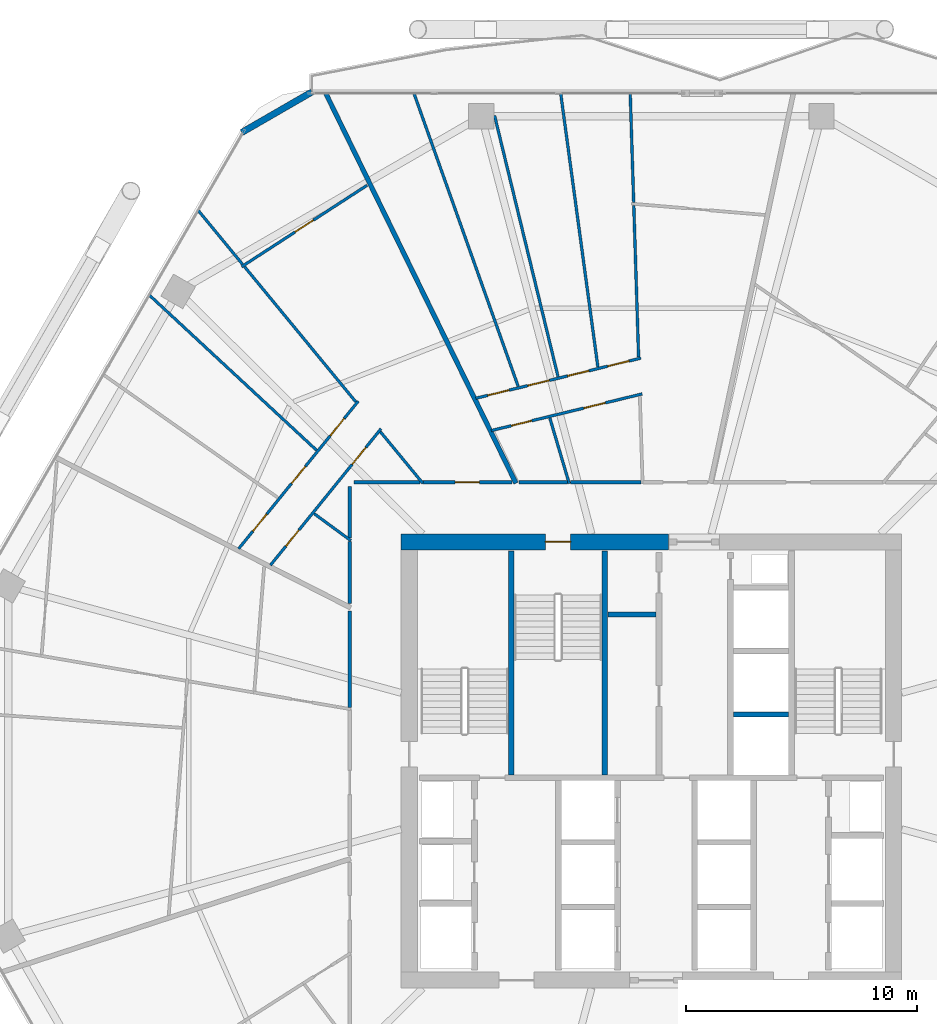
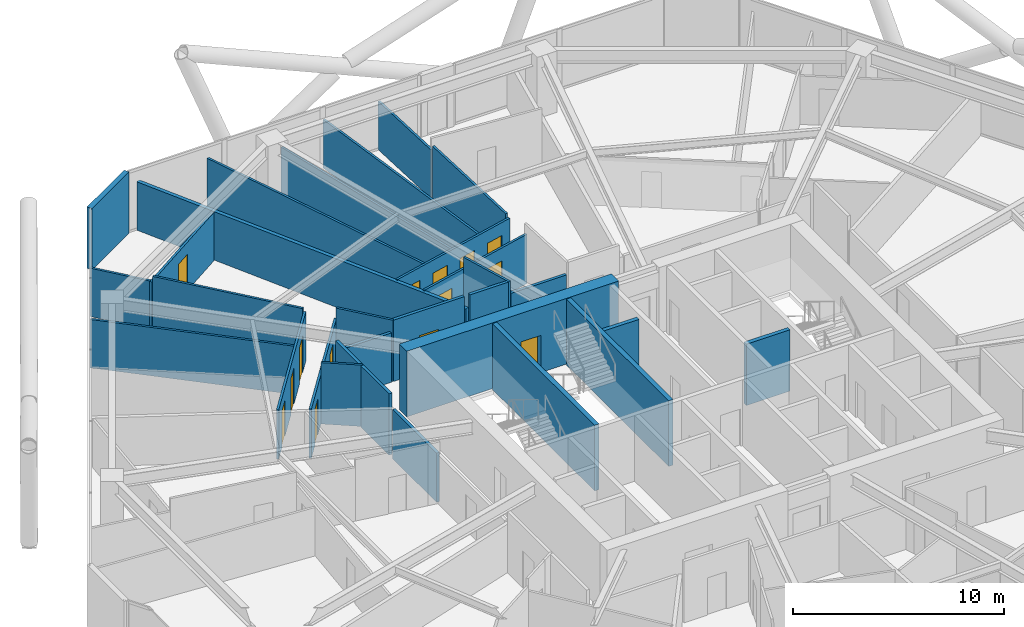
# One storey, part 30 of 35: 30 walls, 14 doors, 14 openings.
"""IFC4 building model written with IfcOpenShell, lengths in metres."""

from ifc_helpers import new_model, si_unit, direction, frame, frame_2d, origin, place, context, subcontext, project, spatial, rectangle, extrude, material, layer, layer_set, type_object, element, fill, save


model = new_model("IFC4")

# Units and contexts
model_context = context("Model", 3, precision=1e-05, world=origin(), true_north=direction((0.0, 1.0)))
body_context = subcontext(model_context, "Body", "Model", "MODEL_VIEW")
ifc_project = project(units=[si_unit("LENGTHUNIT", "METRE"), si_unit("AREAUNIT", "SQUARE_METRE"), si_unit("VOLUMEUNIT", "CUBIC_METRE"), si_unit("PLANEANGLEUNIT", "RADIAN"), si_unit("MASSUNIT", "GRAM", prefix="KILO")], contexts=[model_context])

# Site, building, storey
site_placement = place(None, origin())
site = spatial("IfcSite", under=ifc_project, at=site_placement, CompositionType="ELEMENT")
building_placement = place(site_placement, origin())
building = spatial("IfcBuilding", under=site, at=building_placement, Name="Zuhravey Tower", CompositionType="ELEMENT")
storey_placement = place(building_placement, frame((0.0, 0.0, 115.199951171875)))
storey = spatial("IfcBuildingStorey", under=building, at=storey_placement, Name="L28", CompositionType="ELEMENT", Elevation=115.199951171875)

# Wall, opening, door
ifc_material_1 = material(Name="Concrete C60/75", Category="concrete")
ifc_layer_1 = layer(ifc_material_1, 0.699951171875)
ifc_layer_set_1 = layer_set([ifc_layer_1], Name="Concrete C60/75")
wall_type_1 = type_object("IfcWallType", Name="Core Shear Wall 700", PredefinedType="SHEAR", material=ifc_layer_set_1)
wall_1_placement = place(storey_placement, frame((36.75, 41.5, 0.0), z_axis=(0.0, 0.0, 1.0), x_axis=(-1.0, 0.0, 0.0)))
wall_1 = element("IfcWall", 1, at=wall_1_placement, inside=storey, type_object=wall_type_1, Name="L28 North-West Core Shear Wall CW70", PredefinedType="SHEAR", context=body_context, shape_type="SweptSolid", body=[
    extrude(rectangle(XDim=11.60009765625, YDim=0.699951171875, at=frame_2d((5.800048828125, 0.0))), origin(), (0.0, 0.0, 1.0), 3.800048828125),
])
opening_1_placement = place(wall_1_placement, frame((4.25, 0.0, 0.0)))
opening_1 = element("IfcOpeningElement", 2, at=opening_1_placement, cuts=wall_1, Name="Opening STD1", PredefinedType="OPENING", context=body_context, shape_type="SweptSolid", body=[
    extrude(rectangle(XDim=1.10009765625, YDim=2.14990234375, at=frame_2d((0.550048828125, 1.074951171875))), frame((0.0, 0.362060546875, 0.0), z_axis=(0.0, -1.0, 0.0), x_axis=(1.0, 0.0, 0.0)), (0.0, 0.0, 1.0), 0.723876953125),
])
ifc_material_2 = material(Name="Galvanised fire-rated steel leaf", Category="steel")
door_type_1 = type_object("IfcDoorType", Name="Protected Stair Fire Door 1100x2150", OperationType="NOTDEFINED", PredefinedType="USERDEFINED", material=ifc_material_2)
door_1_placement = place(opening_1_placement, origin())
door_1 = element("IfcDoor", 3, at=door_1_placement, inside=storey, type_object=door_type_1, Name="L28 Stair ST3 Door", ObjectType="EXITDOOR", OperationType="SINGLE_SWING_RIGHT", OverallHeight=2.14990234375, OverallWidth=1.10009765625, PredefinedType="USERDEFINED", context=body_context, shape_type="SweptSolid", body=[
    extrude(rectangle(XDim=1.10009765625, YDim=2.14990234375, at=frame_2d((0.550048828125, 1.074951171875))), frame((0.0, 0.02490234375, 0.0), z_axis=(0.0, -1.0, 0.0), x_axis=(1.0, 0.0, 0.0)), (0.0, 0.0, 1.0), 0.050048828125),
])
fill(opening_1, door_1)

ifc_material_3 = material(Name="Gypsum fire-rated stud partition")
ifc_layer_2 = layer(ifc_material_3, 0.159912109375)
ifc_layer_set_2 = layer_set([ifc_layer_2], Name="Gypsum fire-rated stud partition")
wall_type_2 = type_object("IfcWallType", Name="Corridor Fire Partition 160", PredefinedType="PARTITIONING", material=ifc_layer_set_2)
wall_2_placement = place(storey_placement, frame((29.954833984375, 44.080078125, 0.0), z_axis=(0.0, 0.0, 1.0), x_axis=(-1.0, 0.0, 0.0)))
wall_2 = element("IfcWall", 4, at=wall_2_placement, inside=storey, type_object=wall_type_2, Name="L28 IW16 Partition 032", PredefinedType="PARTITIONING", context=body_context, shape_type="SweptSolid", body=[
    extrude(rectangle(XDim=3.872802734375, YDim=0.159912109375, at=frame_2d((1.9365234375, 0.0))), origin(), (0.0, 0.0, 1.0), 3.550048828125),
])
opening_2_placement = place(wall_2_placement, frame((1.411376953125, 0.0, 0.0)))
opening_2 = element("IfcOpeningElement", 5, at=opening_2_placement, cuts=wall_2, Name="Opening APD1", PredefinedType="OPENING", context=body_context, shape_type="SweptSolid", body=[
    extrude(rectangle(XDim=1.050048828125, YDim=2.14990234375, at=frame_2d((0.52490234375, 1.074951171875))), frame((0.0, 0.092041015625, 0.0), z_axis=(0.0, -1.0, 0.0), x_axis=(1.0, 0.0, 0.0)), (0.0, 0.0, 1.0), 0.183837890625),
])
ifc_material_4 = material(Name="Solid-core oak fire-rated leaf")
door_type_2 = type_object("IfcDoorType", Name="Apartment Entrance Fire Door 1050x2150", OperationType="NOTDEFINED", PredefinedType="DOOR", material=ifc_material_4)
door_2_placement = place(opening_2_placement, frame((1.050048828125, 0.0, 0.0), z_axis=(0.0, 0.0, 1.0), x_axis=(-1.0, 0.0, 0.0)))
door_2 = element("IfcDoor", 6, at=door_2_placement, inside=storey, type_object=door_type_2, Name="L28 Door 032.1", OperationType="SINGLE_SWING_RIGHT", OverallHeight=2.14990234375, OverallWidth=1.050048828125, PredefinedType="DOOR", context=body_context, shape_type="SweptSolid", body=[
    extrude(rectangle(XDim=1.050048828125, YDim=2.14990234375, at=frame_2d((0.52490234375, 1.074951171875))), frame((0.0, 0.02490234375, 0.0), z_axis=(0.0, -1.0, 0.0), x_axis=(1.0, 0.0, 0.0)), (0.0, 0.0, 1.0), 0.050048828125),
])
fill(opening_2, door_2)

# Walls
wall_3_placement = place(storey_placement, frame((35.548095703125, 44.080078125, 0.0), z_axis=(0.0, 0.0, 1.0), x_axis=(-1.0, 0.0, 0.0)))
element("IfcWall", 7, at=wall_3_placement, inside=storey, type_object=wall_type_2, Name="L28 IW16 Partition 116", PredefinedType="PARTITIONING", context=body_context, shape_type="SweptSolid", body=[
    extrude(rectangle(XDim=3.055908203125, YDim=0.159912109375, at=frame_2d((1.52783203125, 0.0))), origin(), (0.0, 0.0, 1.0), 2.85009765625),
])
wall_4_placement = place(storey_placement, frame((32.3505859375, 44.080078125, 0.0), z_axis=(0.0, 0.0, 1.0), x_axis=(-1.0, 0.0, 0.0)))
element("IfcWall", 8, at=wall_4_placement, inside=storey, type_object=wall_type_2, Name="L28 IW16 Partition 117", PredefinedType="PARTITIONING", context=body_context, shape_type="SweptSolid", body=[
    extrude(rectangle(XDim=2.09033203125, YDim=0.159912109375, at=frame_2d((1.045166015625, 0.0))), origin(), (0.0, 0.0, 1.0), 3.550048828125),
])
wall_5_placement = place(storey_placement, frame((25.968017578125, 44.080078125, 0.0), z_axis=(0.0, 0.0, 1.0), x_axis=(-1.0, 0.0, 0.0)))
element("IfcWall", 9, at=wall_5_placement, inside=storey, type_object=wall_type_2, Name="L28 IW16 Partition 118", PredefinedType="PARTITIONING", context=body_context, shape_type="SweptSolid", body=[
    extrude(rectangle(XDim=2.867919921875, YDim=0.159912109375, at=frame_2d((1.43408203125, 0.0))), origin(), (0.0, 0.0, 1.0), 2.85009765625),
])
wall_6_placement = place(storey_placement, frame((22.919921875, 43.89990234375, 0.0), z_axis=(0.0, 0.0, 1.0), x_axis=(0.0, -1.0, 0.0)))
element("IfcWall", 10, at=wall_6_placement, inside=storey, type_object=wall_type_2, Name="L28 IW16 Partition 119", PredefinedType="PARTITIONING", context=body_context, shape_type="SweptSolid", body=[
    extrude(rectangle(XDim=2.22314453125, YDim=0.159912109375, at=frame_2d((1.111572265625, 0.0))), origin(), (0.0, 0.0, 1.0), 3.550048828125),
])
wall_7_placement = place(storey_placement, frame((22.919921875, 41.508056640625, 0.0), z_axis=(0.0, 0.0, 1.0), x_axis=(0.0, -1.0, 0.0)))
element("IfcWall", 11, at=wall_7_placement, inside=storey, type_object=wall_type_2, Name="L28 IW16 Partition 120", PredefinedType="PARTITIONING", context=body_context, shape_type="SweptSolid", body=[
    extrude(rectangle(XDim=2.676513671875, YDim=0.159912109375, at=frame_2d((1.33837890625, 0.0))), origin(), (0.0, 0.0, 1.0), 3.550048828125),
])
wall_8_placement = place(storey_placement, frame((22.919921875, 38.4990234375, 0.0), z_axis=(0.0, 0.0, 1.0), x_axis=(0.0, -1.0, 0.0)))
element("IfcWall", 12, at=wall_8_placement, inside=storey, type_object=wall_type_2, Name="L28 IW16 Partition 121", PredefinedType="PARTITIONING", context=body_context, shape_type="SweptSolid", body=[
    extrude(rectangle(XDim=4.175537109375, YDim=0.159912109375, at=frame_2d((2.087890625, 0.0))), origin(), (0.0, 0.0, 1.0), 2.85009765625),
])
ifc_material_5 = material(Name="Precast concrete C40/50", Category="concrete")
ifc_layer_3 = layer(ifc_material_5, 0.280029296875)
ifc_layer_set_3 = layer_set([ifc_layer_3], Name="Precast concrete C40/50")
wall_type_3 = type_object("IfcWallType", Name="Crown Architectural Wall 280", PredefinedType="SOLIDWALL", material=ifc_layer_set_3)
wall_9_placement = place(storey_placement, frame((18.23876953125, 59.24853515625, 0.0), z_axis=(0.0, 0.0, 1.0), x_axis=(0.866007452331, 0.500031091541, 0.0)))
element("IfcWall", 13, at=wall_9_placement, inside=storey, type_object=wall_type_3, Name="L28 Rounded Corner Closure Wall EW28-08", PredefinedType="SOLIDWALL", context=body_context, shape_type="SweptSolid", body=[
    extrude(rectangle(XDim=3.514892578125, YDim=0.280029296875, at=frame_2d((1.75732421875, 0.0))), origin(), (0.0, 0.0, 1.0), 3.550048828125),
])
ifc_material_6 = material(Name="Concrete C50/60", Category="concrete")
ifc_layer_4 = layer(ifc_material_6, 0.25)
ifc_layer_set_4 = layer_set([ifc_layer_4], Name="Concrete C50/60")
wall_type_4 = type_object("IfcWallType", Name="Firefighting Shaft & Stair Wall 250", PredefinedType="SOLIDWALL", material=ifc_layer_set_4)
for number, where, z_axis, x_axis, name in (
    (14, (29.925048828125, 31.39990234375, 0.0), (0.0, 0.0, 1.0), (0.0, 1.0, 0.0), "L28 FW25 Shaft Wall 004"),
    (15, (33.97509765625, 31.39990234375, 0.0), (0.0, 0.0, 1.0), (0.0, 1.0, 0.0), "L28 FW25 Shaft Wall 005"),
):
    element("IfcWall", number, at=place(storey_placement, frame(where, z_axis=z_axis, x_axis=x_axis)), inside=storey, type_object=wall_type_4, Name=name, PredefinedType="SOLIDWALL", context=body_context, shape_type="SweptSolid", body=[
        extrude(rectangle(XDim=9.7001953125, YDim=0.25, at=frame_2d((4.85009765625, 0.0))), origin(), (0.0, 0.0, 1.0), 3.800048828125),
    ])
ifc_material_7 = material(Name="Gypsum double-stud party assembly")
ifc_layer_5 = layer(ifc_material_7, 0.199951171875)
ifc_layer_set_5 = layer_set([ifc_layer_5], Name="Gypsum double-stud party assembly")
wall_type_5 = type_object("IfcWallType", Name="Inter-Tenancy Party Wall 200", PredefinedType="PARTITIONING", material=ifc_layer_set_5)
wall_10_placement = place(storey_placement, frame((30.127685546875, 44.0400390625, 0.0), z_axis=(0.0, 0.0, 1.0), x_axis=(-0.438372268699, 0.898793499106, 0.0)))
element("IfcWall", 16, at=wall_10_placement, inside=storey, type_object=wall_type_5, Name="L28 IW20 Partition 080", PredefinedType="PARTITIONING", context=body_context, shape_type="SweptSolid", body=[
    extrude(rectangle(XDim=18.823486328125, YDim=0.199951171875, at=frame_2d((9.41162109375, 0.0))), origin(), (0.0, 0.0, 1.0), 2.800048828125),
])
ifc_material_8 = material(Name="Gypsum acoustic stud assembly")
ifc_layer_6 = layer(ifc_material_8, 0.219970703125)
ifc_layer_set_6 = layer_set([ifc_layer_6], Name="Gypsum acoustic stud assembly")
wall_type_6 = type_object("IfcWallType", Name="School Acoustic Compartment Wall 220", PredefinedType="PARTITIONING", material=ifc_layer_set_6)
wall_11_placement = place(storey_placement, frame((34.10791015625, 38.35009765625, 0.0), z_axis=(0.0, 0.0, 1.0), x_axis=(1.0, 0.0, 0.0)))
element("IfcWall", 17, at=wall_11_placement, inside=storey, type_object=wall_type_6, Name="L28 IW22 Partition 059", PredefinedType="PARTITIONING", context=body_context, shape_type="SweptSolid", body=[
    extrude(rectangle(XDim=2.083984375, YDim=0.219970703125, at=frame_2d((1.0419921875, 0.0))), origin(), (0.0, 0.0, 1.0), 3.550048828125),
])
wall_12_placement = place(storey_placement, frame((39.55810546875, 34.02490234375, 0.0), z_axis=(0.0, 0.0, 1.0), x_axis=(1.0, 0.0, 0.0)))
element("IfcWall", 18, at=wall_12_placement, inside=storey, type_object=wall_type_6, Name="L28 IW22 Partition 060", PredefinedType="PARTITIONING", context=body_context, shape_type="SweptSolid", body=[
    extrude(rectangle(XDim=2.3837890625, YDim=0.219970703125, at=frame_2d((1.19189453125, 0.0))), origin(), (0.0, 0.0, 1.0), 3.550048828125),
])

# Wall, openings, doors
ifc_material_9 = material(Name="Gypsum metal-stud partition")
ifc_layer_7 = layer(ifc_material_9, 0.1201171875)
ifc_layer_set_7 = layer_set([ifc_layer_7], Name="Gypsum metal-stud partition")
wall_type_7 = type_object("IfcWallType", Name="Unit Internal Partition 120", PredefinedType="PARTITIONING", material=ifc_layer_set_7)
wall_13_placement = place(storey_placement, frame((35.594482421875, 47.913818359375, 0.0), z_axis=(0.0, 0.0, 1.0), x_axis=(-0.971707679159, -0.236186761404, 0.0)))
wall_13 = element("IfcWall", 19, at=wall_13_placement, inside=storey, type_object=wall_type_7, Name="L28 IW12 Partition 026", PredefinedType="PARTITIONING", context=body_context, shape_type="SweptSolid", body=[
    extrude(rectangle(XDim=6.728271484375, YDim=0.1201171875, at=frame_2d((3.3642578125, 0.0))), origin(), (0.0, 0.0, 1.0), 2.85009765625),
])
opening_3_placement = place(wall_13_placement, frame((1.644287109375, 0.0, 0.0)))
opening_3 = element("IfcOpeningElement", 20, at=opening_3_placement, cuts=wall_13, Name="Opening IND1", PredefinedType="OPENING", context=body_context, shape_type="SweptSolid", body=[
    extrude(rectangle(XDim=0.949951171875, YDim=2.10009765625, at=frame_2d((0.47509765625, 1.050048828125))), frame((0.0, 0.072021484375, 0.0), z_axis=(0.0, -1.0, 0.0), x_axis=(1.0, 0.0, 0.0)), (0.0, 0.0, 1.0), 0.14404296875),
])
opening_4_placement = place(wall_13_placement, frame((4.930908203125, 0.0, 0.0)))
opening_4 = element("IfcOpeningElement", 21, at=opening_4_placement, cuts=wall_13, Name="Opening WCD1", PredefinedType="OPENING", context=body_context, shape_type="SweptSolid", body=[
    extrude(rectangle(XDim=0.89990234375, YDim=2.10009765625, at=frame_2d((0.449951171875, 1.050048828125))), frame((0.0, 0.072021484375, 0.0), z_axis=(0.0, -1.0, 0.0), x_axis=(1.0, 0.0, 0.0)), (0.0, 0.0, 1.0), 0.14404296875),
])
ifc_material_10 = material(Name="Moisture-resistant timber leaf", Category="wood")
door_type_3 = type_object("IfcDoorType", Name="Bathroom & WC Internal Door 900x2100", OperationType="NOTDEFINED", PredefinedType="DOOR", material=ifc_material_10)
door_3_placement = place(opening_4_placement, origin())
door_3 = element("IfcDoor", 22, at=door_3_placement, inside=storey, type_object=door_type_3, Name="Apartment L28-02 Bathroom Door", OperationType="SINGLE_SWING_RIGHT", OverallHeight=2.10009765625, OverallWidth=0.89990234375, PredefinedType="DOOR", context=body_context, shape_type="SweptSolid", body=[
    extrude(rectangle(XDim=0.89990234375, YDim=2.10009765625, at=frame_2d((0.449951171875, 1.050048828125))), frame((0.0, 0.02490234375, 0.0), z_axis=(0.0, -1.0, 0.0), x_axis=(1.0, 0.0, 0.0)), (0.0, 0.0, 1.0), 0.050048828125),
])
fill(opening_4, door_3)
ifc_material_11 = material(Name="Painted engineered timber leaf", Category="wood")
door_type_4 = type_object("IfcDoorType", Name="Internal Room & Bedroom Door 950x2100", OperationType="NOTDEFINED", PredefinedType="DOOR", material=ifc_material_11)
door_4_placement = place(opening_3_placement, origin())
door_4 = element("IfcDoor", 23, at=door_4_placement, inside=storey, type_object=door_type_4, Name="Apartment L28-02 Kitchen Door", OperationType="SINGLE_SWING_LEFT", OverallHeight=2.10009765625, OverallWidth=0.949951171875, PredefinedType="DOOR", context=body_context, shape_type="SweptSolid", body=[
    extrude(rectangle(XDim=0.949951171875, YDim=2.10009765625, at=frame_2d((0.47509765625, 1.050048828125))), frame((0.0, 0.02490234375, 0.0), z_axis=(0.0, -1.0, 0.0), x_axis=(1.0, 0.0, 0.0)), (0.0, 0.0, 1.0), 0.050048828125),
])
fill(opening_3, door_4)

wall_14_placement = place(storey_placement, frame((35.545166015625, 49.466064453125, 0.0), z_axis=(0.0, 0.0, 1.0), x_axis=(-0.971712641416, -0.236166345002, 0.0)))
wall_14 = element("IfcWall", 24, at=wall_14_placement, inside=storey, type_object=wall_type_7, Name="L28 IW12 Partition 027", PredefinedType="PARTITIONING", context=body_context, shape_type="SweptSolid", body=[
    extrude(rectangle(XDim=7.365478515625, YDim=0.1201171875, at=frame_2d((3.6826171875, 0.0))), origin(), (0.0, 0.0, 1.0), 2.85009765625),
])
opening_5_placement = place(wall_14_placement, frame((0.531005859375, 0.0, 0.0)))
opening_5 = element("IfcOpeningElement", 25, at=opening_5_placement, cuts=wall_14, Name="Opening IND1", PredefinedType="OPENING", context=body_context, shape_type="SweptSolid", body=[
    extrude(rectangle(XDim=0.949951171875, YDim=2.10009765625, at=frame_2d((0.47509765625, 1.050048828125))), frame((0.0, 0.072021484375, 0.0), z_axis=(0.0, -1.0, 0.0), x_axis=(1.0, 0.0, 0.0)), (0.0, 0.0, 1.0), 0.14404296875),
])
opening_6_placement = place(wall_14_placement, frame((2.322021484375, 0.0, 0.0)))
opening_6 = element("IfcOpeningElement", 26, at=opening_6_placement, cuts=wall_14, Name="Opening IND1", PredefinedType="OPENING", context=body_context, shape_type="SweptSolid", body=[
    extrude(rectangle(XDim=0.949951171875, YDim=2.10009765625, at=frame_2d((0.47509765625, 1.050048828125))), frame((0.0, 0.072021484375, 0.0), z_axis=(0.0, -1.0, 0.0), x_axis=(1.0, 0.0, 0.0)), (0.0, 0.0, 1.0), 0.14404296875),
])
opening_7_placement = place(wall_14_placement, frame((4.093505859375, 0.0, 0.0)))
opening_7 = element("IfcOpeningElement", 27, at=opening_7_placement, cuts=wall_14, Name="Opening IND1", PredefinedType="OPENING", context=body_context, shape_type="SweptSolid", body=[
    extrude(rectangle(XDim=0.949951171875, YDim=2.10009765625, at=frame_2d((0.47509765625, 1.050048828125))), frame((0.0, 0.072021484375, 0.0), z_axis=(0.0, -1.0, 0.0), x_axis=(1.0, 0.0, 0.0)), (0.0, 0.0, 1.0), 0.14404296875),
])
opening_8_placement = place(wall_14_placement, frame((5.884521484375, 0.0, 0.0)))
opening_8 = element("IfcOpeningElement", 28, at=opening_8_placement, cuts=wall_14, Name="Opening IND1", PredefinedType="OPENING", context=body_context, shape_type="SweptSolid", body=[
    extrude(rectangle(XDim=0.949951171875, YDim=2.10009765625, at=frame_2d((0.47509765625, 1.050048828125))), frame((0.0, 0.072021484375, 0.0), z_axis=(0.0, -1.0, 0.0), x_axis=(1.0, 0.0, 0.0)), (0.0, 0.0, 1.0), 0.14404296875),
])
door_5_placement = place(opening_5_placement, frame((0.949951171875, 0.0, 0.0), z_axis=(0.0, 0.0, 1.0), x_axis=(-1.0, 0.0, 0.0)))
door_5 = element("IfcDoor", 29, at=door_5_placement, inside=storey, type_object=door_type_4, Name="Apartment L28-02 Bedroom 1 Door", OperationType="SINGLE_SWING_LEFT", OverallHeight=2.10009765625, OverallWidth=0.949951171875, PredefinedType="DOOR", context=body_context, shape_type="SweptSolid", body=[
    extrude(rectangle(XDim=0.949951171875, YDim=2.10009765625, at=frame_2d((0.47509765625, 1.050048828125))), frame((0.0, 0.02490234375, 0.0), z_axis=(0.0, -1.0, 0.0), x_axis=(1.0, 0.0, 0.0)), (0.0, 0.0, 1.0), 0.050048828125),
])
fill(opening_5, door_5)
door_6_placement = place(opening_6_placement, frame((0.949951171875, 0.0, 0.0), z_axis=(0.0, 0.0, 1.0), x_axis=(-1.0, 0.0, 0.0)))
door_6 = element("IfcDoor", 30, at=door_6_placement, inside=storey, type_object=door_type_4, Name="Apartment L28-02 Bedroom 2 Door", OperationType="SINGLE_SWING_RIGHT", OverallHeight=2.10009765625, OverallWidth=0.949951171875, PredefinedType="DOOR", context=body_context, shape_type="SweptSolid", body=[
    extrude(rectangle(XDim=0.949951171875, YDim=2.10009765625, at=frame_2d((0.47509765625, 1.050048828125))), frame((0.0, 0.02490234375, 0.0), z_axis=(0.0, -1.0, 0.0), x_axis=(1.0, 0.0, 0.0)), (0.0, 0.0, 1.0), 0.050048828125),
])
fill(opening_6, door_6)
door_7_placement = place(opening_7_placement, frame((0.949951171875, 0.0, 0.0), z_axis=(0.0, 0.0, 1.0), x_axis=(-1.0, 0.0, 0.0)))
door_7 = element("IfcDoor", 31, at=door_7_placement, inside=storey, type_object=door_type_4, Name="Apartment L28-02 Bedroom 3 Door", OperationType="SINGLE_SWING_LEFT", OverallHeight=2.10009765625, OverallWidth=0.949951171875, PredefinedType="DOOR", context=body_context, shape_type="SweptSolid", body=[
    extrude(rectangle(XDim=0.949951171875, YDim=2.10009765625, at=frame_2d((0.47509765625, 1.050048828125))), frame((0.0, 0.02490234375, 0.0), z_axis=(0.0, -1.0, 0.0), x_axis=(1.0, 0.0, 0.0)), (0.0, 0.0, 1.0), 0.050048828125),
])
fill(opening_7, door_7)
door_8_placement = place(opening_8_placement, frame((0.949951171875, 0.0, 0.0), z_axis=(0.0, 0.0, 1.0), x_axis=(-1.0, 0.0, 0.0)))
door_8 = element("IfcDoor", 32, at=door_8_placement, inside=storey, type_object=door_type_4, Name="Apartment L28-02 Bedroom 4 Door", OperationType="SINGLE_SWING_RIGHT", OverallHeight=2.10009765625, OverallWidth=0.949951171875, PredefinedType="DOOR", context=body_context, shape_type="SweptSolid", body=[
    extrude(rectangle(XDim=0.949951171875, YDim=2.10009765625, at=frame_2d((0.47509765625, 1.050048828125))), frame((0.0, 0.02490234375, 0.0), z_axis=(0.0, -1.0, 0.0), x_axis=(1.0, 0.0, 0.0)), (0.0, 0.0, 1.0), 0.050048828125),
])
fill(opening_8, door_8)

# Wall, opening, door
wall_15_placement = place(storey_placement, frame((23.668701171875, 56.956787109375, 0.0), z_axis=(0.0, 0.0, 1.0), x_axis=(-0.838859022157, -0.544348731005, 0.0)))
wall_15 = element("IfcWall", 33, at=wall_15_placement, inside=storey, type_object=wall_type_7, Name="L28 IW12 Partition 029", PredefinedType="PARTITIONING", context=body_context, shape_type="SweptSolid", body=[
    extrude(rectangle(XDim=6.481689453125, YDim=0.1201171875, at=frame_2d((3.24072265625, 0.0))), origin(), (0.0, 0.0, 1.0), 2.800048828125),
])
opening_9_placement = place(wall_15_placement, frame((2.765869140625, 0.0, 0.0)))
opening_9 = element("IfcOpeningElement", 34, at=opening_9_placement, cuts=wall_15, Name="Opening IND1", PredefinedType="OPENING", context=body_context, shape_type="SweptSolid", body=[
    extrude(rectangle(XDim=0.949951171875, YDim=2.10009765625, at=frame_2d((0.47509765625, 1.050048828125))), frame((0.0, 0.072021484375, 0.0), z_axis=(0.0, -1.0, 0.0), x_axis=(1.0, 0.0, 0.0)), (0.0, 0.0, 1.0), 0.14404296875),
])
door_9_placement = place(opening_9_placement, frame((0.949951171875, 0.0, 0.0), z_axis=(0.0, 0.0, 1.0), x_axis=(-1.0, 0.0, 0.0)))
door_9 = element("IfcDoor", 35, at=door_9_placement, inside=storey, type_object=door_type_4, Name="Apartment L28-03 Family Study Door", OperationType="SINGLE_SWING_RIGHT", OverallHeight=2.10009765625, OverallWidth=0.949951171875, PredefinedType="DOOR", context=body_context, shape_type="SweptSolid", body=[
    extrude(rectangle(XDim=0.949951171875, YDim=2.10009765625, at=frame_2d((0.47509765625, 1.050048828125))), frame((0.0, 0.02490234375, 0.0), z_axis=(0.0, -1.0, 0.0), x_axis=(1.0, 0.0, 0.0)), (0.0, 0.0, 1.0), 0.050048828125),
])
fill(opening_9, door_9)

# Wall, openings, doors
wall_16_placement = place(storey_placement, frame((24.274658203125, 46.401611328125, 0.0), z_axis=(0.0, 0.0, 1.0), x_axis=(-0.629602187024, -0.776917682959, 0.0)))
wall_16 = element("IfcWall", 36, at=wall_16_placement, inside=storey, type_object=wall_type_7, Name="L28 IW12 Partition 030", PredefinedType="PARTITIONING", context=body_context, shape_type="SweptSolid", body=[
    extrude(rectangle(XDim=7.613525390625, YDim=0.1201171875, at=frame_2d((3.806640625, 0.0))), origin(), (0.0, 0.0, 1.0), 2.85009765625),
])
opening_10_placement = place(wall_16_placement, frame((1.038330078125, 0.0, 0.0)))
opening_10 = element("IfcOpeningElement", 37, at=opening_10_placement, cuts=wall_16, Name="Opening IND1", PredefinedType="OPENING", context=body_context, shape_type="SweptSolid", body=[
    extrude(rectangle(XDim=0.949951171875, YDim=2.10009765625, at=frame_2d((0.47509765625, 1.050048828125))), frame((0.0, 0.072021484375, 0.0), z_axis=(0.0, -1.0, 0.0), x_axis=(1.0, 0.0, 0.0)), (0.0, 0.0, 1.0), 0.14404296875),
])
opening_11_placement = place(wall_16_placement, frame((5.648193359375, 0.0, 0.0)))
opening_11 = element("IfcOpeningElement", 38, at=opening_11_placement, cuts=wall_16, Name="Opening WCD1", PredefinedType="OPENING", context=body_context, shape_type="SweptSolid", body=[
    extrude(rectangle(XDim=0.89990234375, YDim=2.10009765625, at=frame_2d((0.449951171875, 1.050048828125))), frame((0.0, 0.072021484375, 0.0), z_axis=(0.0, -1.0, 0.0), x_axis=(1.0, 0.0, 0.0)), (0.0, 0.0, 1.0), 0.14404296875),
])
door_10_placement = place(opening_11_placement, origin())
door_10 = element("IfcDoor", 39, at=door_10_placement, inside=storey, type_object=door_type_3, Name="Apartment L28-03 Bathroom Door", OperationType="SINGLE_SWING_RIGHT", OverallHeight=2.10009765625, OverallWidth=0.89990234375, PredefinedType="DOOR", context=body_context, shape_type="SweptSolid", body=[
    extrude(rectangle(XDim=0.89990234375, YDim=2.10009765625, at=frame_2d((0.449951171875, 1.050048828125))), frame((0.0, 0.02490234375, 0.0), z_axis=(0.0, -1.0, 0.0), x_axis=(1.0, 0.0, 0.0)), (0.0, 0.0, 1.0), 0.050048828125),
])
fill(opening_11, door_10)
door_11_placement = place(opening_10_placement, origin())
door_11 = element("IfcDoor", 40, at=door_11_placement, inside=storey, type_object=door_type_4, Name="Apartment L28-03 Kitchen Door", OperationType="SINGLE_SWING_LEFT", OverallHeight=2.10009765625, OverallWidth=0.949951171875, PredefinedType="DOOR", context=body_context, shape_type="SweptSolid", body=[
    extrude(rectangle(XDim=0.949951171875, YDim=2.10009765625, at=frame_2d((0.47509765625, 1.050048828125))), frame((0.0, 0.02490234375, 0.0), z_axis=(0.0, -1.0, 0.0), x_axis=(1.0, 0.0, 0.0)), (0.0, 0.0, 1.0), 0.050048828125),
])
fill(opening_10, door_11)

wall_17_placement = place(storey_placement, frame((23.288818359375, 47.599365234375, 0.0), z_axis=(0.0, 0.0, 1.0), x_axis=(-0.629618678783, -0.776904318001, 0.0)))
wall_17 = element("IfcWall", 41, at=wall_17_placement, inside=storey, type_object=wall_type_7, Name="L28 IW12 Partition 031", PredefinedType="PARTITIONING", context=body_context, shape_type="SweptSolid", body=[
    extrude(rectangle(XDim=8.2333984375, YDim=0.1201171875, at=frame_2d((4.11669921875, 0.0))), origin(), (0.0, 0.0, 1.0), 2.85009765625),
])
opening_12_placement = place(wall_17_placement, frame((0.972412109375, 0.0, 0.0)))
opening_12 = element("IfcOpeningElement", 42, at=opening_12_placement, cuts=wall_17, Name="Opening IND1", PredefinedType="OPENING", context=body_context, shape_type="SweptSolid", body=[
    extrude(rectangle(XDim=0.949951171875, YDim=2.10009765625, at=frame_2d((0.47509765625, 1.050048828125))), frame((0.0, 0.072021484375, 0.0), z_axis=(0.0, -1.0, 0.0), x_axis=(1.0, 0.0, 0.0)), (0.0, 0.0, 1.0), 0.14404296875),
])
opening_13_placement = place(wall_17_placement, frame((3.6416015625, 0.0, 0.0)))
opening_13 = element("IfcOpeningElement", 43, at=opening_13_placement, cuts=wall_17, Name="Opening IND1", PredefinedType="OPENING", context=body_context, shape_type="SweptSolid", body=[
    extrude(rectangle(XDim=0.949951171875, YDim=2.10009765625, at=frame_2d((0.47509765625, 1.050048828125))), frame((0.0, 0.072021484375, 0.0), z_axis=(0.0, -1.0, 0.0), x_axis=(1.0, 0.0, 0.0)), (0.0, 0.0, 1.0), 0.14404296875),
])
opening_14_placement = place(wall_17_placement, frame((6.31103515625, 0.0, 0.0)))
opening_14 = element("IfcOpeningElement", 44, at=opening_14_placement, cuts=wall_17, Name="Opening IND1", PredefinedType="OPENING", context=body_context, shape_type="SweptSolid", body=[
    extrude(rectangle(XDim=0.949951171875, YDim=2.10009765625, at=frame_2d((0.47509765625, 1.050048828125))), frame((0.0, 0.072021484375, 0.0), z_axis=(0.0, -1.0, 0.0), x_axis=(1.0, 0.0, 0.0)), (0.0, 0.0, 1.0), 0.14404296875),
])
door_12_placement = place(opening_12_placement, frame((0.949951171875, 0.0, 0.0), z_axis=(0.0, 0.0, 1.0), x_axis=(-1.0, 0.0, 0.0)))
door_12 = element("IfcDoor", 45, at=door_12_placement, inside=storey, type_object=door_type_4, Name="Apartment L28-03 Bedroom 1 Door", OperationType="SINGLE_SWING_LEFT", OverallHeight=2.10009765625, OverallWidth=0.949951171875, PredefinedType="DOOR", context=body_context, shape_type="SweptSolid", body=[
    extrude(rectangle(XDim=0.949951171875, YDim=2.10009765625, at=frame_2d((0.47509765625, 1.050048828125))), frame((0.0, 0.02490234375, 0.0), z_axis=(0.0, -1.0, 0.0), x_axis=(1.0, 0.0, 0.0)), (0.0, 0.0, 1.0), 0.050048828125),
])
fill(opening_12, door_12)
door_13_placement = place(opening_13_placement, frame((0.949951171875, 0.0, 0.0), z_axis=(0.0, 0.0, 1.0), x_axis=(-1.0, 0.0, 0.0)))
door_13 = element("IfcDoor", 46, at=door_13_placement, inside=storey, type_object=door_type_4, Name="Apartment L28-03 Bedroom 2 Door", OperationType="SINGLE_SWING_RIGHT", OverallHeight=2.10009765625, OverallWidth=0.949951171875, PredefinedType="DOOR", context=body_context, shape_type="SweptSolid", body=[
    extrude(rectangle(XDim=0.949951171875, YDim=2.10009765625, at=frame_2d((0.47509765625, 1.050048828125))), frame((0.0, 0.02490234375, 0.0), z_axis=(0.0, -1.0, 0.0), x_axis=(1.0, 0.0, 0.0)), (0.0, 0.0, 1.0), 0.050048828125),
])
fill(opening_13, door_13)
door_14_placement = place(opening_14_placement, frame((0.949951171875, 0.0, 0.0), z_axis=(0.0, 0.0, 1.0), x_axis=(-1.0, 0.0, 0.0)))
door_14 = element("IfcDoor", 47, at=door_14_placement, inside=storey, type_object=door_type_4, Name="Apartment L28-03 Bedroom 3 Door", OperationType="SINGLE_SWING_LEFT", OverallHeight=2.10009765625, OverallWidth=0.949951171875, PredefinedType="DOOR", context=body_context, shape_type="SweptSolid", body=[
    extrude(rectangle(XDim=0.949951171875, YDim=2.10009765625, at=frame_2d((0.47509765625, 1.050048828125))), frame((0.0, 0.02490234375, 0.0), z_axis=(0.0, -1.0, 0.0), x_axis=(1.0, 0.0, 0.0)), (0.0, 0.0, 1.0), 0.050048828125),
])
fill(opening_14, door_14)

# Walls
wall_18_placement = place(storey_placement, frame((32.436279296875, 44.030029296875, 0.0), z_axis=(0.0, 0.0, 1.0), x_axis=(-0.284043451939, 0.958811408678, 0.0)))
element("IfcWall", 48, at=wall_18_placement, inside=storey, type_object=wall_type_7, Name="L28 IW12 Partition 073", PredefinedType="PARTITIONING", context=body_context, shape_type="SweptSolid", body=[
    extrude(rectangle(XDim=2.963623046875, YDim=0.1201171875, at=frame_2d((1.48193359375, 0.0))), origin(), (0.0, 0.0, 1.0), 3.550048828125),
])
wall_19_placement = place(storey_placement, frame((33.67822265625, 49.082275390625, 0.0), z_axis=(0.0, 0.0, 1.0), x_axis=(-0.134673606825, 0.990890013889, 0.0)))
element("IfcWall", 49, at=wall_19_placement, inside=storey, type_object=wall_type_7, Name="L28 IW12 Partition 074", PredefinedType="PARTITIONING", context=body_context, shape_type="SweptSolid", body=[
    extrude(rectangle(XDim=11.99560546875, YDim=0.1201171875, at=frame_2d((5.997802734375, 0.0))), origin(), (0.0, 0.0, 1.0), 2.800048828125),
])
wall_20_placement = place(storey_placement, frame((31.950439453125, 48.662353515625, 0.0), z_axis=(0.0, 0.0, 1.0), x_axis=(-0.236162753776, 0.971713514226, 0.0)))
element("IfcWall", 50, at=wall_20_placement, inside=storey, type_object=wall_type_7, Name="L28 IW12 Partition 075", PredefinedType="PARTITIONING", context=body_context, shape_type="SweptSolid", body=[
    extrude(rectangle(XDim=11.646484375, YDim=0.1201171875, at=frame_2d((5.8232421875, 0.0))), origin(), (0.0, 0.0, 1.0), 2.800048828125),
])
wall_21_placement = place(storey_placement, frame((30.22265625, 48.242431640625, 0.0), z_axis=(0.0, 0.0, 1.0), x_axis=(-0.335110936566, 0.942178677425, 0.0)))
element("IfcWall", 51, at=wall_21_placement, inside=storey, type_object=wall_type_7, Name="L28 IW12 Partition 076", PredefinedType="PARTITIONING", context=body_context, shape_type="SweptSolid", body=[
    extrude(rectangle(XDim=13.507080078125, YDim=0.1201171875, at=frame_2d((6.75341796875, 0.0))), origin(), (0.0, 0.0, 1.0), 2.800048828125),
])
wall_22_placement = place(storey_placement, frame((35.443603515625, 49.51123046875, 0.0), z_axis=(0.0, 0.0, 1.0), x_axis=(-0.031770066641, 0.999495204023, 0.0)))
element("IfcWall", 52, at=wall_22_placement, inside=storey, type_object=wall_type_7, Name="L28 IW12 Partition 078", PredefinedType="PARTITIONING", context=body_context, shape_type="SweptSolid", body=[
    extrude(rectangle(XDim=6.578125, YDim=0.1201171875, at=frame_2d((3.2890625, 0.0))), origin(), (0.0, 0.0, 1.0), 3.10009765625),
])
wall_23_placement = place(storey_placement, frame((35.230224609375, 56.22265625, 0.0), z_axis=(0.0, 0.0, 1.0), x_axis=(-0.031724339577, 0.999496656462, 0.0)))
element("IfcWall", 53, at=wall_23_placement, inside=storey, type_object=wall_type_7, Name="L28 IW12 Partition 079", PredefinedType="PARTITIONING", context=body_context, shape_type="SweptSolid", body=[
    extrude(rectangle(XDim=4.748291015625, YDim=0.1201171875, at=frame_2d((2.3740234375, 0.0))), origin(), (0.0, 0.0, 1.0), 2.800048828125),
])
wall_24_placement = place(storey_placement, frame((22.969970703125, 41.555908203125, 0.0), z_axis=(0.0, 0.0, 1.0), x_axis=(-0.806432554287, 0.591326082113, 0.0)))
element("IfcWall", 54, at=wall_24_placement, inside=storey, type_object=wall_type_7, Name="L28 IW12 Partition 081", PredefinedType="PARTITIONING", context=body_context, shape_type="SweptSolid", body=[
    extrude(rectangle(XDim=1.971435546875, YDim=0.1201171875, at=frame_2d((0.98583984375, 0.0))), origin(), (0.0, 0.0, 1.0), 3.550048828125),
])
wall_25_placement = place(storey_placement, frame((21.479248046875, 45.474609375, 0.0), z_axis=(0.0, 0.0, 1.0), x_axis=(-0.733013816474, 0.680213749389, 0.0)))
element("IfcWall", 55, at=wall_25_placement, inside=storey, type_object=wall_type_7, Name="L28 IW12 Partition 082", PredefinedType="PARTITIONING", context=body_context, shape_type="SweptSolid", body=[
    extrude(rectangle(XDim=9.904296875, YDim=0.1201171875, at=frame_2d((4.9521484375, 0.0))), origin(), (0.0, 0.0, 1.0), 2.800048828125),
])
wall_26_placement = place(storey_placement, frame((26.08203125, 44.048583984375, 0.0), z_axis=(0.0, 0.0, 1.0), x_axis=(-0.635546545523, 0.772062554767, 0.0)))
element("IfcWall", 56, at=wall_26_placement, inside=storey, type_object=wall_type_7, Name="L28 IW12 Partition 084", PredefinedType="PARTITIONING", context=body_context, shape_type="SweptSolid", body=[
    extrude(rectangle(XDim=2.875732421875, YDim=0.1201171875, at=frame_2d((1.43798828125, 0.0))), origin(), (0.0, 0.0, 1.0), 3.550048828125),
])
wall_27_placement = place(storey_placement, frame((23.180419921875, 47.57373046875, 0.0), z_axis=(0.0, 0.0, 1.0), x_axis=(-0.635541406611, 0.772066784989, 0.0)))
element("IfcWall", 57, at=wall_27_placement, inside=storey, type_object=wall_type_7, Name="L28 IW12 Partition 085", PredefinedType="PARTITIONING", context=body_context, shape_type="SweptSolid", body=[
    extrude(rectangle(XDim=7.585693359375, YDim=0.1201171875, at=frame_2d((3.79296875, 0.0))), origin(), (0.0, 0.0, 1.0), 3.10009765625),
])
wall_28_placement = place(storey_placement, frame((18.272216796875, 53.535888671875, 0.0), z_axis=(0.0, 0.0, 1.0), x_axis=(-0.635518574301, 0.772085579271, 0.0)))
element("IfcWall", 58, at=wall_28_placement, inside=storey, type_object=wall_type_7, Name="L28 IW12 Partition 086", PredefinedType="PARTITIONING", context=body_context, shape_type="SweptSolid", body=[
    extrude(rectangle(XDim=3.0390625, YDim=0.1201171875, at=frame_2d((1.51953125, 0.0))), origin(), (0.0, 0.0, 1.0), 2.800048828125),
])

save(model, "model.ifc")
